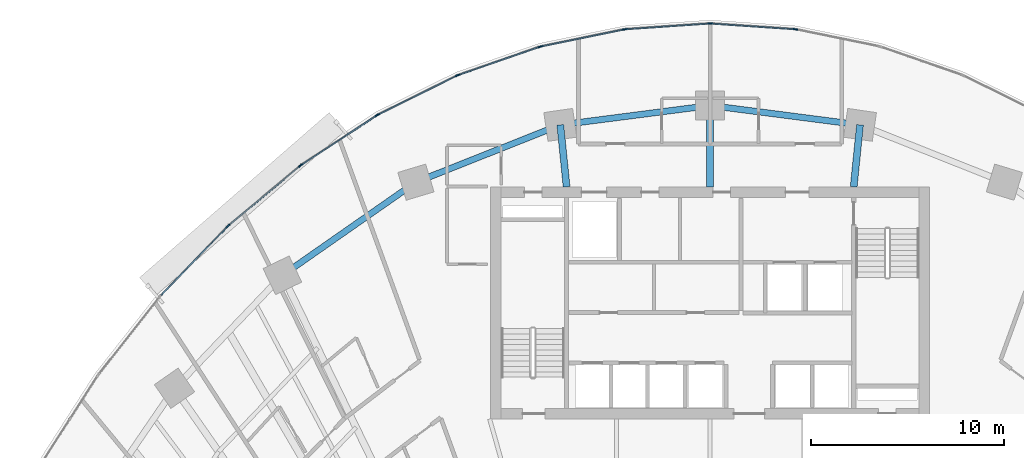
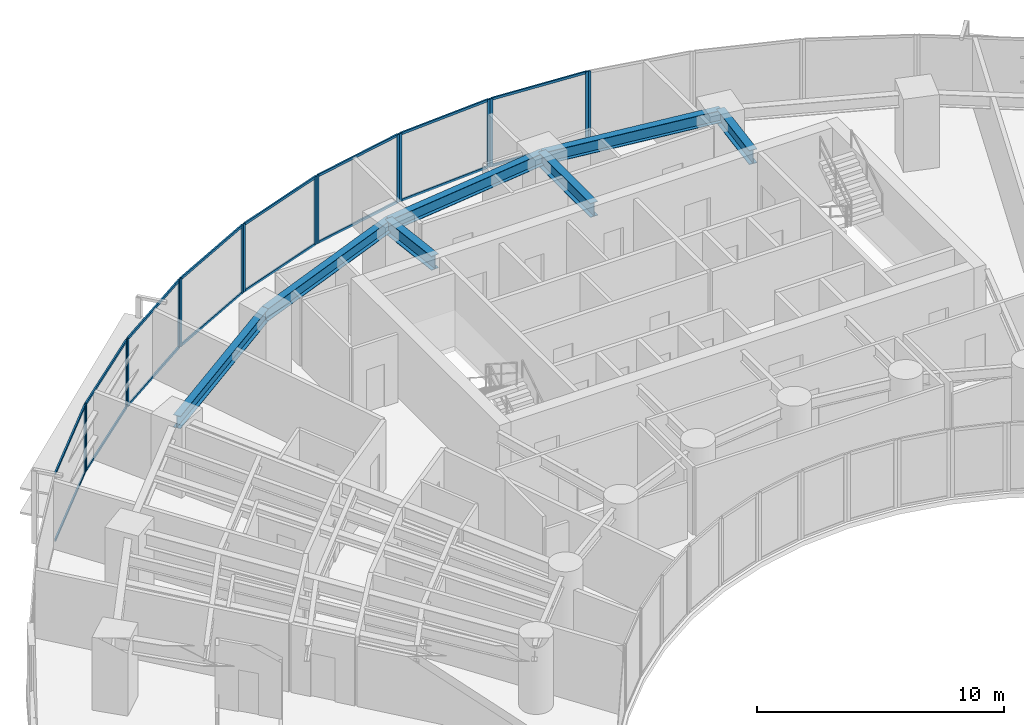
# One storey, part 6 of 18: 32 members, 7 beams, 9 elements without a shape of their own.
"""IFC4 building model written with IfcOpenShell, lengths in metres."""

from ifc_helpers import new_model, si_unit, direction, frame, origin, origin_2d, place, context, subcontext, project, spatial, rectangle, i_section, extrude, source, transform, mapped, material, layer, layer_set, material_profile, profile_set, type_object, element, aggregate, save


model = new_model("IFC4")

# Units and contexts
model_context = context("Model", 3, precision=1e-05, world=origin(), true_north=direction((0.0, 1.0)))
body_context = subcontext(model_context, "Body", "Model", "MODEL_VIEW")
ifc_project = project(units=[si_unit("LENGTHUNIT", "METRE"), si_unit("AREAUNIT", "SQUARE_METRE"), si_unit("VOLUMEUNIT", "CUBIC_METRE"), si_unit("PLANEANGLEUNIT", "RADIAN"), si_unit("MASSUNIT", "GRAM", prefix="KILO")], contexts=[model_context])

# Site, building, storey
site_placement = place(None, origin())
site = spatial("IfcSite", under=ifc_project, at=site_placement, CompositionType="ELEMENT")
building_placement = place(site_placement, origin())
building = spatial("IfcBuilding", under=site, at=building_placement, Name="Breltana Convention Tower", CompositionType="ELEMENT")
storey_placement = place(building_placement, frame((0.0, 0.0, 42.60009765625)))
storey = spatial("IfcBuildingStorey", under=building, at=storey_placement, Name="L08", CompositionType="ELEMENT", Elevation=42.60009765625)

# Beams
ifc_material_1 = material(Name="Steel ASTM A992 Grade 50", Category="steel")
ifc_material_profile_1 = material_profile(ifc_material_1, i_section(OverallWidth=0.323974609375, OverallDepth=0.611083984375, WebThickness=0.0126953125, FlangeThickness=0.01904296875, at=origin_2d()), Name="W24X104")
ifc_profile_set_1 = profile_set([ifc_material_profile_1], Name="Steel ASTM A992 Grade 50")
beam_type_1 = type_object("IfcBeamType", Name="BM-SP-W24X104", PredefinedType="SPANDREL", material=ifc_profile_set_1)
shared_shape_1 = source(origin(), body_context, "Body", "SweptSolid", [
    extrude(i_section(OverallWidth=0.323974609375, OverallDepth=0.611083984375, WebThickness=0.0126953125, FlangeThickness=0.01904296875, at=origin_2d()), origin(), (0.0, 0.0, 1.0), 8.4169921875),
])
beam_1_placement = place(storey_placement, frame((25.8876953125, 67.626953125, 3.054443359375), z_axis=(0.820173800102, 0.572114444519, 0.0), x_axis=(-0.572114444519, 0.820173800102, 0.0)))
element("IfcBeam", 1, at=beam_1_placement, inside=storey, type_object=beam_type_1, Name="L08 Outer Spandrel Beam 03", PredefinedType="SPANDREL", context=body_context, shape_type="MappedRepresentation", body=[
    mapped(shared_shape_1, transform((0.0, 0.0, 0.0), scale=1.0)),
])
shared_shape_2 = source(origin(), body_context, "Body", "SweptSolid", [
    extrude(i_section(OverallWidth=0.323974609375, OverallDepth=0.611083984375, WebThickness=0.0126953125, FlangeThickness=0.01904296875, at=origin_2d()), origin(), (0.0, 0.0, 1.0), 8.028564453125),
])
beam_2_placement = place(storey_placement, frame((32.791015625, 72.4423828125, 3.054443359375), z_axis=(0.929459100394, 0.368925169507, 0.0), x_axis=(-0.368925169507, 0.929459100394, 0.0)))
element("IfcBeam", 2, at=beam_2_placement, inside=storey, type_object=beam_type_1, Name="L08 Outer Spandrel Beam 04", PredefinedType="SPANDREL", context=body_context, shape_type="MappedRepresentation", body=[
    mapped(shared_shape_2, transform((0.0, 0.0, 0.0), scale=1.0)),
])
shared_shape_3 = source(origin(), body_context, "Body", "SweptSolid", [
    extrude(i_section(OverallWidth=0.323974609375, OverallDepth=0.611083984375, WebThickness=0.0126953125, FlangeThickness=0.01904296875, at=origin_2d()), origin(), (0.0, 0.0, 1.0), 7.81103515625),
])
for number, where, z_axis, x_axis, name in (
    (3, (40.253173828125, 75.404296875, 3.054443359375), (0.991775179127, 0.127992164083, 0.0), (-0.127992164083, 0.991775179127, 0.0), "L08 Outer Spandrel Beam 05"),
    (4, (48.0, 76.404052734375, 3.054443359375), (0.991775179127, -0.127992164083, 0.0), (0.127992164083, 0.991775179127, 0.0), "L08 Outer Spandrel Beam 06"),
):
    element("IfcBeam", number, at=place(storey_placement, frame(where, z_axis=z_axis, x_axis=x_axis)), inside=storey, type_object=beam_type_1, Name=name, PredefinedType="SPANDREL", context=body_context, shape_type="MappedRepresentation", body=[
        mapped(shared_shape_3, transform((0.0, 0.0, 0.0), scale=1.0)),
    ])
ifc_material_profile_2 = material_profile(ifc_material_1, i_section(OverallWidth=0.35498046875, OverallDepth=0.696044921875, WebThickness=0.015380859375, FlangeThickness=0.02490234375, at=origin_2d()), Name="W27X146")
ifc_profile_set_2 = profile_set([ifc_material_profile_2], Name="Steel ASTM A992 Grade 50")
beam_type_2 = type_object("IfcBeamType", Name="BM-RG-W27X146", PredefinedType="USERDEFINED", material=ifc_profile_set_2)
shared_shape_4 = source(origin(), body_context, "Body", "SweptSolid", [
    extrude(i_section(OverallWidth=0.35498046875, OverallDepth=0.696044921875, WebThickness=0.015380859375, FlangeThickness=0.02490234375, at=origin_2d()), origin(), (0.0, 0.0, 1.0), 3.220947265625),
])
for number, where, z_axis, x_axis, name in (
    (5, (40.580078125, 72.199951171875, 3.011962890625), (-0.101492254858, 0.994836329355, 0.0), (-0.994836329355, -0.101492254858, 0.0), "L08 North Core Radial Girder R05"),
    (6, (55.419921875, 72.199951171875, 3.011962890625), (0.101492254858, 0.994836329355, 0.0), (-0.994836329355, 0.101492254858, 0.0), "L08 North Core Radial Girder R07"),
):
    element("IfcBeam", number, at=place(storey_placement, frame(where, z_axis=z_axis, x_axis=x_axis)), inside=storey, type_object=beam_type_2, Name=name, ObjectType="GIRDER", PredefinedType="USERDEFINED", context=body_context, shape_type="MappedRepresentation", body=[
        mapped(shared_shape_4, transform((0.0, 0.0, 0.0), scale=1.0)),
    ])
shared_shape_5 = source(origin(), body_context, "Body", "SweptSolid", [
    extrude(i_section(OverallWidth=0.35498046875, OverallDepth=0.696044921875, WebThickness=0.015380859375, FlangeThickness=0.02490234375, at=origin_2d()), origin(), (0.0, 0.0, 1.0), 4.2041015625),
])
beam_3_placement = place(storey_placement, frame((48.0, 72.199951171875, 3.011962890625), z_axis=(0.0, 1.0, 0.0), x_axis=(-1.0, 0.0, 0.0)))
element("IfcBeam", 7, at=beam_3_placement, inside=storey, type_object=beam_type_2, Name="L08 North Core Radial Girder R06", ObjectType="GIRDER", PredefinedType="USERDEFINED", context=body_context, shape_type="MappedRepresentation", body=[
    mapped(shared_shape_5, transform((0.0, 0.0, 0.0), scale=1.0)),
])

# Curtain wall, members
ifc_material_2 = material(Name="Aluminium Anodised Bronze Frame", Category="aluminium")
ifc_layer = layer(ifc_material_2, 0.199951171875, Name="Aluminium Anodised Bronze Frame")
ifc_layer_set = layer_set([ifc_layer], Name="Aluminium Anodised Bronze Frame")
curtain_wall_type = type_object("IfcCurtainWallType", Name="CW-SYS-2", PredefinedType="NOTDEFINED", material=ifc_layer_set)
curtain_wall_1_placement = place(storey_placement, origin())
curtain_wall_1 = element("IfcCurtainWall", 8, at=curtain_wall_1_placement, inside=storey, type_object=curtain_wall_type, Name="L08 outer double-skin inner glazing 3", PredefinedType="NOTDEFINED")
ifc_material_3 = material(Name="Aluminium Anodised Bronze", Category="aluminium")
ifc_material_profile_3 = material_profile(ifc_material_3, rectangle(XDim=0.070068359375, YDim=0.1201171875, at=origin_2d()), Name="CWT-70X120")
ifc_profile_set_3 = profile_set([ifc_material_profile_3], Name="Aluminium Anodised Bronze")
member_type_1 = type_object("IfcMemberType", Name="CWT-120", PredefinedType="USERDEFINED", material=ifc_profile_set_3)
shared_shape_6 = source(origin(), body_context, "Body", "SweptSolid", [
    extrude(rectangle(XDim=0.070068359375, YDim=0.1201171875, at=origin_2d()), origin(), (0.0, 0.0, 1.0), 4.901123046875),
])
member_1_placement = place(storey_placement, frame((19.615478515625, 66.5966796875, 0.034912109375), z_axis=(0.6945945137, 0.719401460617, 0.0), x_axis=(-0.719401460617, 0.6945945137, 0.0)))
member_1 = element("IfcMember", 9, at=member_1_placement, type_object=member_type_1, Name="CW-02 transom 1.1", ObjectType="TRANSOM", PredefinedType="USERDEFINED", context=body_context, shape_type="MappedRepresentation", body=[
    mapped(shared_shape_6, transform((0.0, 0.0, 0.0), scale=1.0)),
])
member_2_placement = place(storey_placement, frame((19.615478515625, 66.5966796875, 3.324951171875), z_axis=(0.6945945137, 0.719401460617, 0.0), x_axis=(-0.719401460617, 0.6945945137, 0.0)))
member_2 = element("IfcMember", 10, at=member_2_placement, type_object=member_type_1, Name="CW-02 transom 1.2", ObjectType="TRANSOM", PredefinedType="USERDEFINED", context=body_context, shape_type="MappedRepresentation", body=[
    mapped(shared_shape_6, transform((0.0, 0.0, 0.0), scale=1.0)),
])

curtain_wall_2_placement = place(storey_placement, origin())
curtain_wall_2 = element("IfcCurtainWall", 11, at=curtain_wall_2_placement, inside=storey, type_object=curtain_wall_type, Name="L08 outer double-skin inner glazing 4", PredefinedType="NOTDEFINED")
shared_shape_7 = source(origin(), body_context, "Body", "SweptSolid", [
    extrude(rectangle(XDim=0.070068359375, YDim=0.1201171875, at=origin_2d()), origin(), (0.0, 0.0, 1.0), 4.7509765625),
])
member_3_placement = place(storey_placement, frame((23.1220703125, 70.2177734375, 0.034912109375), z_axis=(0.767951631807, 0.64050783852, 0.0), x_axis=(-0.64050783852, 0.767951631807, 0.0)))
member_3 = element("IfcMember", 12, at=member_3_placement, type_object=member_type_1, Name="CW-02 transom 1.1", ObjectType="TRANSOM", PredefinedType="USERDEFINED", context=body_context, shape_type="MappedRepresentation", body=[
    mapped(shared_shape_7, transform((0.0, 0.0, 0.0), scale=1.0)),
])
member_4_placement = place(storey_placement, frame((23.1220703125, 70.2177734375, 3.324951171875), z_axis=(0.767951631807, 0.64050783852, 0.0), x_axis=(-0.64050783852, 0.767951631807, 0.0)))
member_4 = element("IfcMember", 13, at=member_4_placement, type_object=member_type_1, Name="CW-02 transom 1.2", ObjectType="TRANSOM", PredefinedType="USERDEFINED", context=body_context, shape_type="MappedRepresentation", body=[
    mapped(shared_shape_7, transform((0.0, 0.0, 0.0), scale=1.0)),
])

curtain_wall_3_placement = place(storey_placement, origin())
curtain_wall_3 = element("IfcCurtainWall", 14, at=curtain_wall_3_placement, inside=storey, type_object=curtain_wall_type, Name="L08 outer double-skin inner glazing 5", PredefinedType="NOTDEFINED")
shared_shape_8 = source(origin(), body_context, "Body", "SweptSolid", [
    extrude(rectangle(XDim=0.070068359375, YDim=0.1201171875, at=origin_2d()), origin(), (0.0, 0.0, 1.0), 4.610595703125),
])
member_5_placement = place(storey_placement, frame((26.8828125, 73.343994140625, 0.034912109375), z_axis=(0.835956055104, 0.54879638659, 0.0), x_axis=(-0.54879638659, 0.835956055104, 0.0)))
member_5 = element("IfcMember", 15, at=member_5_placement, type_object=member_type_1, Name="CW-02 transom 1.1", ObjectType="TRANSOM", PredefinedType="USERDEFINED", context=body_context, shape_type="MappedRepresentation", body=[
    mapped(shared_shape_8, transform((0.0, 0.0, 0.0), scale=1.0)),
])
member_6_placement = place(storey_placement, frame((26.8828125, 73.343994140625, 3.324951171875), z_axis=(0.835956055104, 0.54879638659, 0.0), x_axis=(-0.54879638659, 0.835956055104, 0.0)))
member_6 = element("IfcMember", 16, at=member_6_placement, type_object=member_type_1, Name="CW-02 transom 1.2", ObjectType="TRANSOM", PredefinedType="USERDEFINED", context=body_context, shape_type="MappedRepresentation", body=[
    mapped(shared_shape_8, transform((0.0, 0.0, 0.0), scale=1.0)),
])

curtain_wall_4_placement = place(storey_placement, origin())
curtain_wall_4 = element("IfcCurtainWall", 17, at=curtain_wall_4_placement, inside=storey, type_object=curtain_wall_type, Name="L08 outer double-skin inner glazing 6", PredefinedType="NOTDEFINED")
shared_shape_9 = source(origin(), body_context, "Body", "SweptSolid", [
    extrude(rectangle(XDim=0.070068359375, YDim=0.1201171875, at=origin_2d()), origin(), (0.0, 0.0, 1.0), 4.487548828125),
])
member_7_placement = place(storey_placement, frame((30.8583984375, 75.94384765625, 0.034912109375), z_axis=(0.895977728863, 0.444098986017, 0.0), x_axis=(-0.444098986017, 0.895977728863, 0.0)))
member_7 = element("IfcMember", 18, at=member_7_placement, type_object=member_type_1, Name="CW-02 transom 1.1", ObjectType="TRANSOM", PredefinedType="USERDEFINED", context=body_context, shape_type="MappedRepresentation", body=[
    mapped(shared_shape_9, transform((0.0, 0.0, 0.0), scale=1.0)),
])
member_8_placement = place(storey_placement, frame((30.8583984375, 75.94384765625, 3.324951171875), z_axis=(0.895977728863, 0.444098986017, 0.0), x_axis=(-0.444098986017, 0.895977728863, 0.0)))
member_8 = element("IfcMember", 19, at=member_8_placement, type_object=member_type_1, Name="CW-02 transom 1.2", ObjectType="TRANSOM", PredefinedType="USERDEFINED", context=body_context, shape_type="MappedRepresentation", body=[
    mapped(shared_shape_9, transform((0.0, 0.0, 0.0), scale=1.0)),
])

curtain_wall_5_placement = place(storey_placement, origin())
curtain_wall_5 = element("IfcCurtainWall", 20, at=curtain_wall_5_placement, inside=storey, type_object=curtain_wall_type, Name="L08 outer double-skin inner glazing 7", PredefinedType="NOTDEFINED")
shared_shape_10 = source(origin(), body_context, "Body", "SweptSolid", [
    extrude(rectangle(XDim=0.070068359375, YDim=0.1201171875, at=origin_2d()), origin(), (0.0, 0.0, 1.0), 4.38818359375),
])
member_9_placement = place(storey_placement, frame((35.008056640625, 77.99072265625, 0.034912109375), z_axis=(0.944878203019, 0.32742202348, 0.0), x_axis=(-0.32742202348, 0.944878203019, 0.0)))
member_9 = element("IfcMember", 21, at=member_9_placement, type_object=member_type_1, Name="CW-02 transom 1.1", ObjectType="TRANSOM", PredefinedType="USERDEFINED", context=body_context, shape_type="MappedRepresentation", body=[
    mapped(shared_shape_10, transform((0.0, 0.0, 0.0), scale=1.0)),
])
member_10_placement = place(storey_placement, frame((35.008056640625, 77.99072265625, 3.324951171875), z_axis=(0.944878203019, 0.32742202348, 0.0), x_axis=(-0.32742202348, 0.944878203019, 0.0)))
member_10 = element("IfcMember", 22, at=member_10_placement, type_object=member_type_1, Name="CW-02 transom 1.2", ObjectType="TRANSOM", PredefinedType="USERDEFINED", context=body_context, shape_type="MappedRepresentation", body=[
    mapped(shared_shape_10, transform((0.0, 0.0, 0.0), scale=1.0)),
])

curtain_wall_6_placement = place(storey_placement, origin())
curtain_wall_6 = element("IfcCurtainWall", 23, at=curtain_wall_6_placement, inside=storey, type_object=curtain_wall_type, Name="L08 outer double-skin inner glazing 8", PredefinedType="NOTDEFINED")
shared_shape_11 = source(origin(), body_context, "Body", "SweptSolid", [
    extrude(rectangle(XDim=0.070068359375, YDim=0.1201171875, at=origin_2d()), origin(), (0.0, 0.0, 1.0), 4.318359375),
])
member_11_placement = place(storey_placement, frame((39.2890625, 79.464599609375, 0.034912109375), z_axis=(0.979616680923, 0.200875977799, 0.0), x_axis=(-0.200875977799, 0.979616680923, 0.0)))
member_11 = element("IfcMember", 24, at=member_11_placement, type_object=member_type_1, Name="CW-02 transom 1.1", ObjectType="TRANSOM", PredefinedType="USERDEFINED", context=body_context, shape_type="MappedRepresentation", body=[
    mapped(shared_shape_11, transform((0.0, 0.0, 0.0), scale=1.0)),
])
member_12_placement = place(storey_placement, frame((39.2890625, 79.464599609375, 3.324951171875), z_axis=(0.979616680923, 0.200875977799, 0.0), x_axis=(-0.200875977799, 0.979616680923, 0.0)))
member_12 = element("IfcMember", 25, at=member_12_placement, type_object=member_type_1, Name="CW-02 transom 1.2", ObjectType="TRANSOM", PredefinedType="USERDEFINED", context=body_context, shape_type="MappedRepresentation", body=[
    mapped(shared_shape_11, transform((0.0, 0.0, 0.0), scale=1.0)),
])

curtain_wall_7_placement = place(storey_placement, origin())
curtain_wall_7 = element("IfcCurtainWall", 26, at=curtain_wall_7_placement, inside=storey, type_object=curtain_wall_type, Name="L08 outer double-skin inner glazing 9", PredefinedType="NOTDEFINED")
shared_shape_12 = source(origin(), body_context, "Body", "SweptSolid", [
    extrude(rectangle(XDim=0.070068359375, YDim=0.1201171875, at=origin_2d()), origin(), (0.0, 0.0, 1.0), 4.2822265625),
])
member_13_placement = place(storey_placement, frame((43.65771484375, 80.350830078125, 0.034912109375), z_axis=(0.997703698684, 0.067729828231, 0.0), x_axis=(-0.067729828231, 0.997703698684, 0.0)))
member_13 = element("IfcMember", 27, at=member_13_placement, type_object=member_type_1, Name="CW-02 transom 1.1", ObjectType="TRANSOM", PredefinedType="USERDEFINED", context=body_context, shape_type="MappedRepresentation", body=[
    mapped(shared_shape_12, transform((0.0, 0.0, 0.0), scale=1.0)),
])
member_14_placement = place(storey_placement, frame((43.65771484375, 80.350830078125, 3.324951171875), z_axis=(0.997703698684, 0.067729828231, 0.0), x_axis=(-0.067729828231, 0.997703698684, 0.0)))
member_14 = element("IfcMember", 28, at=member_14_placement, type_object=member_type_1, Name="CW-02 transom 1.2", ObjectType="TRANSOM", PredefinedType="USERDEFINED", context=body_context, shape_type="MappedRepresentation", body=[
    mapped(shared_shape_12, transform((0.0, 0.0, 0.0), scale=1.0)),
])

curtain_wall_8_placement = place(storey_placement, origin())
curtain_wall_8 = element("IfcCurtainWall", 29, at=curtain_wall_8_placement, inside=storey, type_object=curtain_wall_type, Name="L08 outer double-skin inner glazing 10", PredefinedType="NOTDEFINED")
member_15_placement = place(storey_placement, frame((48.06982421875, 80.640869140625, 0.034912109375), z_axis=(0.997703698684, -0.067729828231, 0.0), x_axis=(0.067729828231, 0.997703698684, 0.0)))
member_15 = element("IfcMember", 30, at=member_15_placement, type_object=member_type_1, Name="CW-02 transom 1.1", ObjectType="TRANSOM", PredefinedType="USERDEFINED", context=body_context, shape_type="MappedRepresentation", body=[
    mapped(shared_shape_12, transform((0.0, 0.0, 0.0), scale=1.0)),
])
member_16_placement = place(storey_placement, frame((48.06982421875, 80.640869140625, 3.324951171875), z_axis=(0.997703698684, -0.067729828231, 0.0), x_axis=(0.067729828231, 0.997703698684, 0.0)))
member_16 = element("IfcMember", 31, at=member_16_placement, type_object=member_type_1, Name="CW-02 transom 1.2", ObjectType="TRANSOM", PredefinedType="USERDEFINED", context=body_context, shape_type="MappedRepresentation", body=[
    mapped(shared_shape_12, transform((0.0, 0.0, 0.0), scale=1.0)),
])

# Member
ifc_material_profile_4 = material_profile(ifc_material_3, rectangle(XDim=0.070068359375, YDim=0.175048828125, at=origin_2d()), Name="CWM-70X175")
ifc_profile_set_4 = profile_set([ifc_material_profile_4], Name="Aluminium Anodised Bronze")
member_type_2 = type_object("IfcMemberType", Name="CWM-175", PredefinedType="MULLION", material=ifc_profile_set_4)
shared_shape_13 = source(origin(), body_context, "Body", "SweptSolid", [
    extrude(rectangle(XDim=0.070068359375, YDim=0.175048828125, at=origin_2d()), origin(), (0.0, 0.0, 1.0), 3.35986328125),
])
member_17_placement = place(storey_placement, frame((23.044189453125, 70.147705078125, 0.0), z_axis=(0.0, 0.0, 1.0), x_axis=(-0.719386421003, 0.694610090106, 0.0)))
member_17 = element("IfcMember", 32, at=member_17_placement, type_object=member_type_2, Name="CW-02 mullion 2", PredefinedType="MULLION", context=body_context, shape_type="MappedRepresentation", body=[
    mapped(shared_shape_13, transform((0.0, 0.0, 0.0), scale=1.0)),
])

aggregate(curtain_wall_1, [member_17, member_1, member_2])

member_18_placement = place(storey_placement, frame((23.09521484375, 70.1953125, 0.0), z_axis=(0.0, 0.0, 1.0), x_axis=(-0.640520193554, 0.767941326958, 0.0)))
member_18 = element("IfcMember", 33, at=member_18_placement, type_object=member_type_2, Name="CW-02 mullion 1", PredefinedType="MULLION", context=body_context, shape_type="MappedRepresentation", body=[
    mapped(shared_shape_13, transform((0.0, 0.0, 0.0), scale=1.0)),
])

member_19_placement = place(storey_placement, frame((26.79736328125, 73.283203125, 0.0), z_axis=(0.0, 0.0, 1.0), x_axis=(-0.640520193554, 0.767941326958, 0.0)))
member_19 = element("IfcMember", 34, at=member_19_placement, type_object=member_type_2, Name="CW-02 mullion 2", PredefinedType="MULLION", context=body_context, shape_type="MappedRepresentation", body=[
    mapped(shared_shape_13, transform((0.0, 0.0, 0.0), scale=1.0)),
])

aggregate(curtain_wall_2, [member_18, member_19, member_3, member_4])

member_20_placement = place(storey_placement, frame((26.853515625, 73.32470703125, 0.0), z_axis=(0.0, 0.0, 1.0), x_axis=(-0.548784255746, 0.83596401875, 0.0)))
member_20 = element("IfcMember", 35, at=member_20_placement, type_object=member_type_2, Name="CW-02 mullion 1", PredefinedType="MULLION", context=body_context, shape_type="MappedRepresentation", body=[
    mapped(shared_shape_13, transform((0.0, 0.0, 0.0), scale=1.0)),
])

member_21_placement = place(storey_placement, frame((30.766357421875, 75.8935546875, 0.0), z_axis=(0.0, 0.0, 1.0), x_axis=(-0.548784255746, 0.83596401875, 0.0)))
member_21 = element("IfcMember", 36, at=member_21_placement, type_object=member_type_2, Name="CW-02 mullion 2", PredefinedType="MULLION", context=body_context, shape_type="MappedRepresentation", body=[
    mapped(shared_shape_13, transform((0.0, 0.0, 0.0), scale=1.0)),
])

aggregate(curtain_wall_3, [member_20, member_21, member_5, member_6])

member_22_placement = place(storey_placement, frame((30.8271484375, 75.92822265625, 0.0), z_axis=(0.0, 0.0, 1.0), x_axis=(-0.444107703726, 0.895973407804, 0.0)))
member_22 = element("IfcMember", 37, at=member_22_placement, type_object=member_type_2, Name="CW-02 mullion 1", PredefinedType="MULLION", context=body_context, shape_type="MappedRepresentation", body=[
    mapped(shared_shape_13, transform((0.0, 0.0, 0.0), scale=1.0)),
])

member_23_placement = place(storey_placement, frame((34.910400390625, 77.9521484375, 0.0), z_axis=(0.0, 0.0, 1.0), x_axis=(-0.444107703726, 0.895973407804, 0.0)))
member_23 = element("IfcMember", 38, at=member_23_placement, type_object=member_type_2, Name="CW-02 mullion 2", PredefinedType="MULLION", context=body_context, shape_type="MappedRepresentation", body=[
    mapped(shared_shape_13, transform((0.0, 0.0, 0.0), scale=1.0)),
])

aggregate(curtain_wall_4, [member_22, member_23, member_7, member_8])

member_24_placement = place(storey_placement, frame((34.974853515625, 77.979248046875, 0.0), z_axis=(0.0, 0.0, 1.0), x_axis=(-0.32742834581, 0.944876012163, 0.0)))
member_24 = element("IfcMember", 39, at=member_24_placement, type_object=member_type_2, Name="CW-02 mullion 1", PredefinedType="MULLION", context=body_context, shape_type="MappedRepresentation", body=[
    mapped(shared_shape_13, transform((0.0, 0.0, 0.0), scale=1.0)),
])

member_25_placement = place(storey_placement, frame((39.1875, 79.43896484375, 0.0), z_axis=(0.0, 0.0, 1.0), x_axis=(-0.32742834581, 0.944876012163, 0.0)))
member_25 = element("IfcMember", 40, at=member_25_placement, type_object=member_type_2, Name="CW-02 mullion 2", PredefinedType="MULLION", context=body_context, shape_type="MappedRepresentation", body=[
    mapped(shared_shape_13, transform((0.0, 0.0, 0.0), scale=1.0)),
])

aggregate(curtain_wall_5, [member_24, member_25, member_9, member_10])

member_26_placement = place(storey_placement, frame((39.2548828125, 79.45751953125, 0.0), z_axis=(0.0, 0.0, 1.0), x_axis=(-0.200884537139, 0.979614925743, 0.0)))
member_26 = element("IfcMember", 41, at=member_26_placement, type_object=member_type_2, Name="CW-02 mullion 1", PredefinedType="MULLION", context=body_context, shape_type="MappedRepresentation", body=[
    mapped(shared_shape_13, transform((0.0, 0.0, 0.0), scale=1.0)),
])

member_27_placement = place(storey_placement, frame((43.5537109375, 80.339111328125, 0.0), z_axis=(0.0, 0.0, 1.0), x_axis=(-0.200884537139, 0.979614925743, 0.0)))
member_27 = element("IfcMember", 42, at=member_27_placement, type_object=member_type_2, Name="CW-02 mullion 2", PredefinedType="MULLION", context=body_context, shape_type="MappedRepresentation", body=[
    mapped(shared_shape_13, transform((0.0, 0.0, 0.0), scale=1.0)),
])

aggregate(curtain_wall_6, [member_26, member_27, member_11, member_12])

member_28_placement = place(storey_placement, frame((43.622802734375, 80.348388671875, 0.0), z_axis=(0.0, 0.0, 1.0), x_axis=(-0.067725650529, 0.997703982282, 0.0)))
member_28 = element("IfcMember", 43, at=member_28_placement, type_object=member_type_2, Name="CW-02 mullion 1", PredefinedType="MULLION", context=body_context, shape_type="MappedRepresentation", body=[
    mapped(shared_shape_13, transform((0.0, 0.0, 0.0), scale=1.0)),
])

member_29_placement = place(storey_placement, frame((47.965087890625, 80.643310546875, 0.0), z_axis=(0.0, 0.0, 1.0), x_axis=(-0.067725650529, 0.997703982282, 0.0)))
member_29 = element("IfcMember", 44, at=member_29_placement, type_object=member_type_2, Name="CW-02 mullion 2", PredefinedType="MULLION", context=body_context, shape_type="MappedRepresentation", body=[
    mapped(shared_shape_13, transform((0.0, 0.0, 0.0), scale=1.0)),
])

aggregate(curtain_wall_7, [member_28, member_29, member_13, member_14])

member_30_placement = place(storey_placement, frame((48.034912109375, 80.643310546875, 0.0), z_axis=(0.0, 0.0, 1.0), x_axis=(0.067725650529, 0.997703982282, 0.0)))
member_30 = element("IfcMember", 45, at=member_30_placement, type_object=member_type_2, Name="CW-02 mullion 1", PredefinedType="MULLION", context=body_context, shape_type="MappedRepresentation", body=[
    mapped(shared_shape_13, transform((0.0, 0.0, 0.0), scale=1.0)),
])

member_31_placement = place(storey_placement, frame((52.377197265625, 80.348388671875, 0.0), z_axis=(0.0, 0.0, 1.0), x_axis=(0.067725650529, 0.997703982282, 0.0)))
member_31 = element("IfcMember", 46, at=member_31_placement, type_object=member_type_2, Name="CW-02 mullion 2", PredefinedType="MULLION", context=body_context, shape_type="MappedRepresentation", body=[
    mapped(shared_shape_13, transform((0.0, 0.0, 0.0), scale=1.0)),
])

aggregate(curtain_wall_8, [member_30, member_31, member_15, member_16])

# Curtain wall, member
curtain_wall_9_placement = place(storey_placement, origin())
curtain_wall_9 = element("IfcCurtainWall", 47, at=curtain_wall_9_placement, inside=storey, type_object=curtain_wall_type, Name="L08 outer double-skin inner glazing 11", PredefinedType="NOTDEFINED")
member_32_placement = place(storey_placement, frame((52.4462890625, 80.339111328125, 0.0), z_axis=(0.0, 0.0, 1.0), x_axis=(0.200884537139, 0.979614925743, 0.0)))
member_32 = element("IfcMember", 48, at=member_32_placement, type_object=member_type_2, Name="CW-02 mullion 1", PredefinedType="MULLION", context=body_context, shape_type="MappedRepresentation", body=[
    mapped(shared_shape_13, transform((0.0, 0.0, 0.0), scale=1.0)),
])
aggregate(curtain_wall_9, [member_32])

save(model, "model.ifc")
